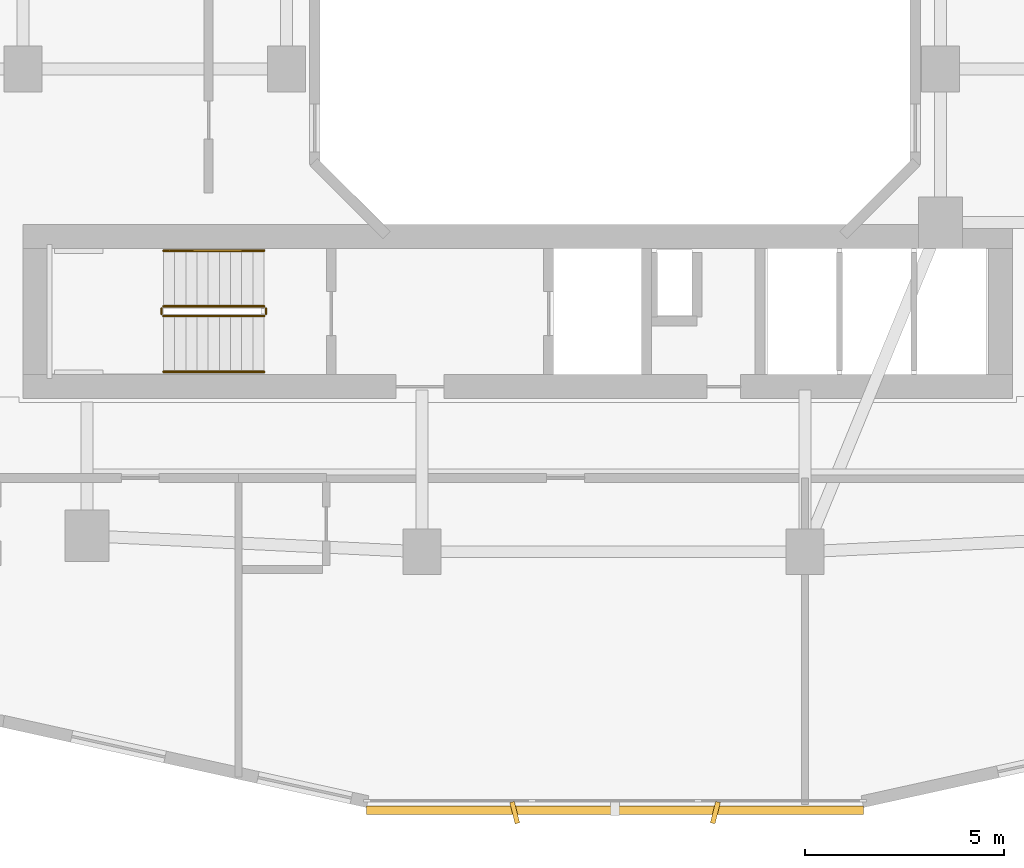
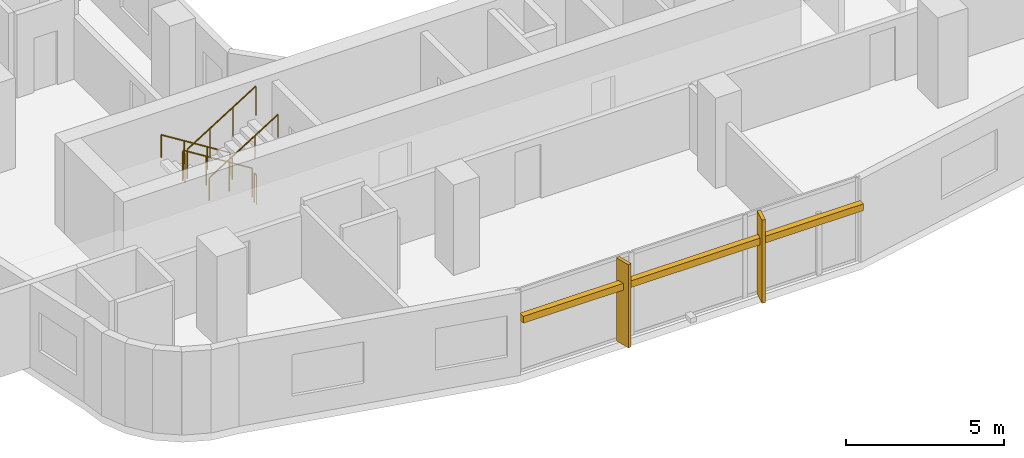
# One storey, part 22 of 26: 6 railings, 3 shading devices.
"""IFC4 building model written with IfcOpenShell, lengths in metres."""

from ifc_helpers import new_model, si_unit, derived_unit, direction, frame, origin, origin_2d, place, context, subcontext, project, spatial, rectangle, circle, extrude, material, type_object, element, save


model = new_model("IFC4")

# Units and contexts
model_context = context("Model", 3, precision=1e-05, world=origin(), true_north=direction((0.0, 1.0)))
body_context = subcontext(model_context, "Body", "Model", "MODEL_VIEW")
ifc_project = project(units=[si_unit("LENGTHUNIT", "METRE"), si_unit("AREAUNIT", "SQUARE_METRE"), si_unit("VOLUMEUNIT", "CUBIC_METRE"), si_unit("PLANEANGLEUNIT", "RADIAN"), si_unit("MASSUNIT", "GRAM", prefix="KILO"), derived_unit("THERMALTRANSMITTANCEUNIT", [(si_unit("POWERUNIT", "WATT"), 1), (si_unit("LENGTHUNIT", "METRE"), -2), (si_unit("THERMODYNAMICTEMPERATUREUNIT", "KELVIN"), -1)])], contexts=[model_context])

# Site, building, storey
site_placement = place(None, origin())
site = spatial("IfcSite", under=ifc_project, at=site_placement, CompositionType="ELEMENT")
building_placement = place(site_placement, origin())
building = spatial("IfcBuilding", under=site, at=building_placement, Name="Kivonza Crest Hotel", CompositionType="ELEMENT")
storey_placement = place(building_placement, frame((0.0, 0.0, 45.0)))
storey = spatial("IfcBuildingStorey", under=building, at=storey_placement, Name="L11", CompositionType="ELEMENT", Elevation=45.0)

# Railings
ifc_material_1 = material(Name="Brushed stainless steel handrail", Category="steel")
railing_type_1 = type_object("IfcRailingType", Name="RL-HAND-900", PredefinedType="HANDRAIL", material=ifc_material_1)
railing_1_placement = place(storey_placement, frame((12.239990234375, 16.949951171875, 0.175048828125)))
element("IfcRailing", 1, at=railing_1_placement, inside=storey, type_object=railing_type_1, Name="L11 ST-T1-S stair handrail 1", PredefinedType="HANDRAIL", context=body_context, shape_type="SweptSolid", body=[
    extrude(circle(Radius=0.02392578125, at=origin_2d()), frame((0.0, 0.0, 0.8759765625), z_axis=(-0.848007534815, 0.0, 0.529984170421), x_axis=(0.0, -1.0, 0.0)), (0.0, 0.0, 1.0), 2.9716796875),
    extrude(circle(Radius=0.02099609375, at=origin_2d()), origin(), (0.0, 0.0, 1.0), 0.851806640625),
    extrude(circle(Radius=0.02099609375, at=origin_2d()), frame((-0.840087890625, 0.0, 0.52490234375)), (0.0, 0.0, 1.0), 0.851806640625),
    extrude(circle(Radius=0.02099609375, at=origin_2d()), frame((-1.679931640625, 0.0, 1.050048828125)), (0.0, 0.0, 1.0), 0.851806640625),
    extrude(circle(Radius=0.02099609375, at=origin_2d()), frame((-2.52001953125, 0.0, 1.574951171875)), (0.0, 0.0, 1.0), 0.851806640625),
])
railing_2_placement = place(storey_placement, frame((9.719970703125, 13.909912109375, 1.925048828125)))
element("IfcRailing", 2, at=railing_2_placement, inside=storey, type_object=railing_type_1, Name="L11 ST-T1-S stair handrail 2", PredefinedType="HANDRAIL", context=body_context, shape_type="SweptSolid", body=[
    extrude(circle(Radius=0.02392578125, at=origin_2d()), frame((0.0, 0.0, 0.8759765625), z_axis=(0.848007534815, 0.0, 0.529984170421), x_axis=(0.0, 1.0, 0.0)), (0.0, 0.0, 1.0), 2.9716796875),
    extrude(circle(Radius=0.02099609375, at=origin_2d()), origin(), (0.0, 0.0, 1.0), 0.851806640625),
    extrude(circle(Radius=0.02099609375, at=origin_2d()), frame((0.840087890625, 0.0, 0.52490234375)), (0.0, 0.0, 1.0), 0.851806640625),
    extrude(circle(Radius=0.02099609375, at=origin_2d()), frame((1.679931640625, 0.0, 1.050048828125)), (0.0, 0.0, 1.0), 0.851806640625),
    extrude(circle(Radius=0.02099609375, at=origin_2d()), frame((2.52001953125, 0.0, 1.574951171875)), (0.0, 0.0, 1.0), 0.851806640625),
])
ifc_material_2 = material(Name="Painted steel balustrade", Category="steel")
railing_type_2 = type_object("IfcRailingType", Name="RL-STAIR-1150", PredefinedType="BALUSTRADE", material=ifc_material_2)
railing_3_placement = place(storey_placement, frame((12.239990234375, 15.550048828125, 0.175048828125)))
element("IfcRailing", 3, at=railing_3_placement, inside=storey, type_object=railing_type_2, Name="L11 ST-T1-S stair guard 1", PredefinedType="BALUSTRADE", context=body_context, shape_type="SweptSolid", body=[
    extrude(circle(Radius=0.02392578125, at=origin_2d()), frame((0.0, 0.0, 1.1259765625), z_axis=(-0.848007534815, 0.0, 0.529984170421), x_axis=(0.0, -1.0, 0.0)), (0.0, 0.0, 1.0), 2.9716796875),
    extrude(circle(Radius=0.02099609375, at=origin_2d()), origin(), (0.0, 0.0, 1.0), 1.101806640625),
    extrude(circle(Radius=0.02099609375, at=origin_2d()), frame((-0.840087890625, 0.0, 0.52490234375)), (0.0, 0.0, 1.0), 1.101806640625),
    extrude(circle(Radius=0.02099609375, at=origin_2d()), frame((-1.679931640625, 0.0, 1.050048828125)), (0.0, 0.0, 1.0), 1.101806640625),
    extrude(circle(Radius=0.02099609375, at=origin_2d()), frame((-2.52001953125, 0.0, 1.574951171875)), (0.0, 0.0, 1.0), 1.101806640625),
])
railing_4_placement = place(storey_placement, frame((9.669921875, 15.5, 1.75)))
element("IfcRailing", 4, at=railing_4_placement, inside=storey, type_object=railing_type_2, Name="L11 ST-T1-S stair guard 2", PredefinedType="BALUSTRADE", context=body_context, shape_type="SweptSolid", body=[
    extrude(circle(Radius=0.02392578125, at=origin_2d()), frame((0.0, 0.0, 1.1259765625), z_axis=(0.0, -1.0, 0.0), x_axis=(1.0, 0.0, 0.0)), (0.0, 0.0, 1.0), 0.139892578125),
    extrude(circle(Radius=0.02099609375, at=origin_2d()), origin(), (0.0, 0.0, 1.0), 1.101806640625),
    extrude(circle(Radius=0.02099609375, at=origin_2d()), frame((0.0, -0.139892578125, 0.0)), (0.0, 0.0, 1.0), 1.101806640625),
])
railing_5_placement = place(storey_placement, frame((9.719970703125, 15.31005859375, 1.925048828125)))
element("IfcRailing", 5, at=railing_5_placement, inside=storey, type_object=railing_type_2, Name="L11 ST-T1-S stair guard 3", PredefinedType="BALUSTRADE", context=body_context, shape_type="SweptSolid", body=[
    extrude(circle(Radius=0.02392578125, at=origin_2d()), frame((0.0, 0.0, 1.1259765625), z_axis=(0.848007534815, 0.0, 0.529984170421), x_axis=(0.0, 1.0, 0.0)), (0.0, 0.0, 1.0), 2.9716796875),
    extrude(circle(Radius=0.02099609375, at=origin_2d()), origin(), (0.0, 0.0, 1.0), 1.101806640625),
    extrude(circle(Radius=0.02099609375, at=origin_2d()), frame((0.840087890625, 0.0, 0.52490234375)), (0.0, 0.0, 1.0), 1.101806640625),
    extrude(circle(Radius=0.02099609375, at=origin_2d()), frame((1.679931640625, 0.0, 1.050048828125)), (0.0, 0.0, 1.0), 1.101806640625),
    extrude(circle(Radius=0.02099609375, at=origin_2d()), frame((2.52001953125, 0.0, 1.574951171875)), (0.0, 0.0, 1.0), 1.101806640625),
])
railing_6_placement = place(storey_placement, frame((12.2900390625, 15.5, 0.0)))
element("IfcRailing", 6, at=railing_6_placement, inside=storey, type_object=railing_type_2, Name="L11 ST-T1-S stair guard 4", PredefinedType="BALUSTRADE", context=body_context, shape_type="SweptSolid", body=[
    extrude(circle(Radius=0.02392578125, at=origin_2d()), frame((0.0, 0.0, 1.1259765625), z_axis=(0.0, -1.0, 0.0), x_axis=(1.0, 0.0, 0.0)), (0.0, 0.0, 1.0), 0.139892578125),
    extrude(circle(Radius=0.02099609375, at=origin_2d()), origin(), (0.0, 0.0, 1.0), 1.101806640625),
    extrude(circle(Radius=0.02099609375, at=origin_2d()), frame((0.0, -0.139892578125, 0.0)), (0.0, 0.0, 1.0), 1.101806640625),
])

# Shading devices
ifc_material_3 = material(Name="Kiln-fired Nairobi red-ochre terracotta", Category="masonry")
shading_device_type_1 = type_object("IfcShadingDeviceType", Name="SH-BAGUETTE-300", PredefinedType="USERDEFINED", material=ifc_material_3)
shading_device_placement = place(storey_placement, frame((21.0400390625, 2.919921875, 2.1240234375), z_axis=(0.0, 0.0, 1.0), x_axis=(1.0, 0.0, 0.0)))
element("IfcShadingDevice", 7, at=shading_device_placement, inside=storey, type_object=shading_device_type_1, Name="L11 terracotta baguette screen CW-T1-L11-08", ObjectType="BAGUETTE", PredefinedType="USERDEFINED", context=body_context, shape_type="SweptSolid", body=[
    extrude(rectangle(XDim=12.4560546875, YDim=0.219970703125, at=origin_2d()), origin(), (0.0, 0.0, 1.0), 0.260009765625),
])
ifc_material_4 = material(Name="Kiln-fired terracotta over extruded aluminium spine", Category="masonry")
shading_device_type_2 = type_object("IfcShadingDeviceType", Name="SH-FIN-550", PredefinedType="USERDEFINED", material=ifc_material_4)
for number, where, z_axis, x_axis, name in (
    (8, (18.52490234375, 2.860107421875, 0.0), (0.0, 0.0, 1.0), (0.970295726276, 0.2419218956, 0.0), "L11 vertical solar shading fin CW-T1-L11-08-1"),
    (9, (23.554931640625, 2.860107421875, 0.0), (0.0, 0.0, 1.0), (0.970295726276, -0.2419218956, 0.0), "L11 vertical solar shading fin CW-T1-L11-08-2"),
):
    element("IfcShadingDevice", number, at=place(storey_placement, frame(where, z_axis=z_axis, x_axis=x_axis)), inside=storey, type_object=shading_device_type_2, Name=name, ObjectType="FIN", PredefinedType="USERDEFINED", context=body_context, shape_type="SweptSolid", body=[
        extrude(rectangle(XDim=0.1201171875, YDim=0.550048828125, at=origin_2d()), origin(), (0.0, 0.0, 1.0), 3.219970703125),
    ])

save(model, "model.ifc")
